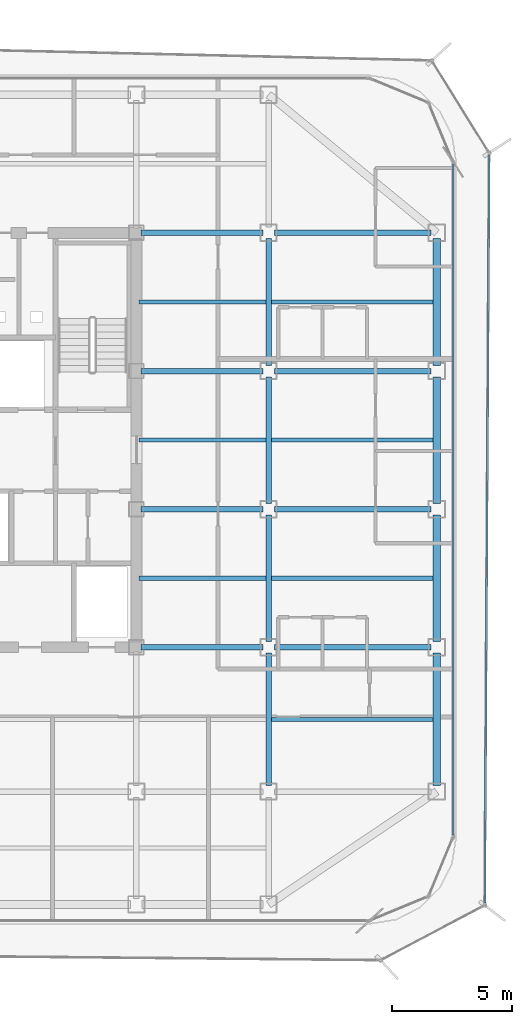
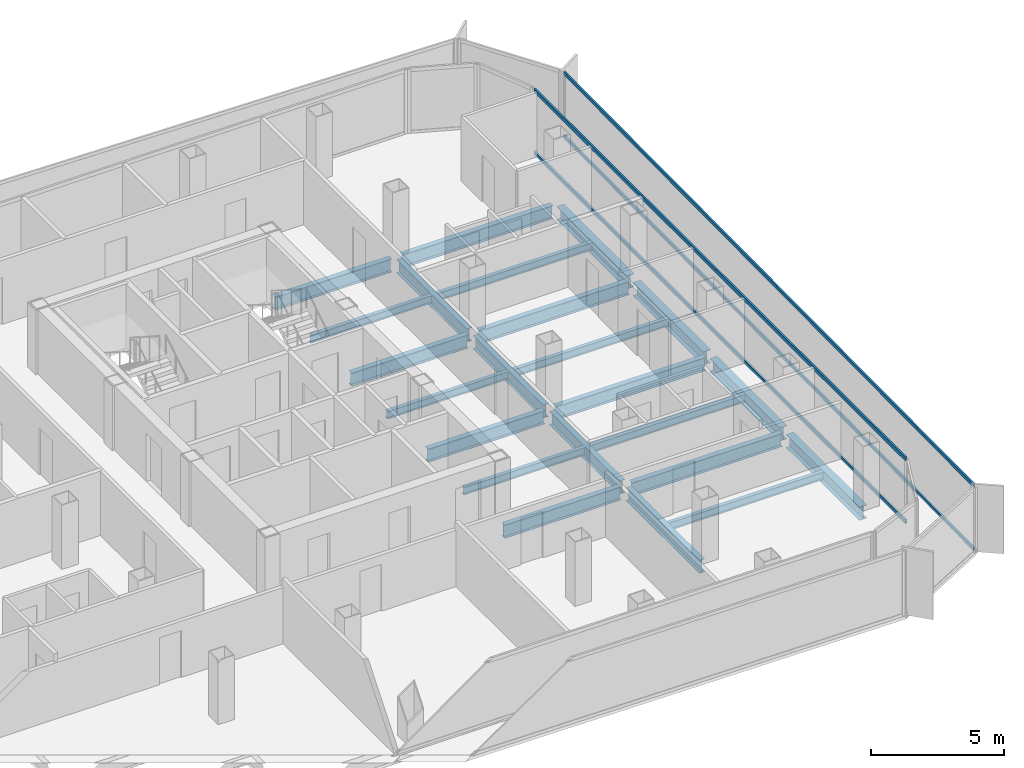
# One storey, part 5 of 15: 23 beams, 4 members, 2 elements without a shape of their own.
"""IFC4 building model written with IfcOpenShell, lengths in metres."""

from ifc_helpers import new_model, si_unit, direction, frame, origin, origin_2d, place, context, subcontext, project, spatial, hollow_rectangle, i_section, extrude, source, transform, mapped, material, layer, layer_set, material_profile, profile_set, type_object, element, aggregate, save


model = new_model("IFC4")

# Units and contexts
model_context = context("Model", 3, precision=1e-05, world=origin(), true_north=direction((0.0, 1.0)))
body_context = subcontext(model_context, "Body", "Model", "MODEL_VIEW")
ifc_project = project(units=[si_unit("LENGTHUNIT", "METRE"), si_unit("AREAUNIT", "SQUARE_METRE"), si_unit("VOLUMEUNIT", "CUBIC_METRE"), si_unit("PLANEANGLEUNIT", "RADIAN"), si_unit("MASSUNIT", "GRAM", prefix="KILO")], contexts=[model_context])

# Site, building, storey
site_placement = place(None, origin())
site = spatial("IfcSite", under=ifc_project, at=site_placement, CompositionType="ELEMENT")
building_placement = place(site_placement, origin())
building = spatial("IfcBuilding", under=site, at=building_placement, Name="Kolveth Station Tower", CompositionType="ELEMENT")
storey_placement = place(building_placement, frame((0.0, 0.0, 196.39990234375)))
storey = spatial("IfcBuildingStorey", under=building, at=storey_placement, Name="L55", CompositionType="ELEMENT", Elevation=196.39990234375)

# Beams
ifc_material_1 = material(Name="Steel S355", Category="steel")
ifc_material_profile_1 = material_profile(ifc_material_1, i_section(OverallWidth=0.323974609375, OverallDepth=0.611083984375, WebThickness=0.0126953125, FlangeThickness=0.01904296875, at=origin_2d()), Name="W610x155")
ifc_profile_set_1 = profile_set([ifc_material_profile_1], Name="Steel S355")
beam_type_1 = type_object("IfcBeamType", Name="Beam_SP2", PredefinedType="SPANDREL", material=ifc_profile_set_1)
shared_shape_1 = source(origin(), body_context, "Body", "SweptSolid", [
    extrude(i_section(OverallWidth=0.323974609375, OverallDepth=0.611083984375, WebThickness=0.0126953125, FlangeThickness=0.01904296875, at=origin_2d()), origin(), (0.0, 0.0, 1.0), 5.52001953125),
])
beam_1_placement = place(storey_placement, frame((41.0, 5.739990234375, -0.555419921875), z_axis=(0.0, 1.0, 0.0), x_axis=(-1.0, 0.0, 0.0)))
element("IfcBeam", 1, at=beam_1_placement, inside=storey, type_object=beam_type_1, Name="L55 Perimeter Spandrel BM-L55-PE-1", PredefinedType="SPANDREL", context=body_context, shape_type="MappedRepresentation", body=[
    mapped(shared_shape_1, transform((0.0, 0.0, 0.0), x_axis=(1.0, 0.0, 0.0), y_axis=(0.0, 1.0, 0.0), z_axis=(0.0, 0.0, 1.0), scale=1.0)),
])
shared_shape_2 = source(origin(), body_context, "Body", "SweptSolid", [
    extrude(i_section(OverallWidth=0.323974609375, OverallDepth=0.611083984375, WebThickness=0.0126953125, FlangeThickness=0.01904296875, at=origin_2d()), origin(), (0.0, 0.0, 1.0), 5.27001953125),
])
for number, where, z_axis, x_axis, name in (
    (2, (41.0, 11.739990234375, -0.555419921875), (0.0, 1.0, 0.0), (-1.0, 0.0, 0.0), "L55 Perimeter Spandrel BM-L55-PE-2"),
    (3, (41.0, 17.489990234375, -0.555419921875), (0.0, 1.0, 0.0), (-1.0, 0.0, 0.0), "L55 Perimeter Spandrel BM-L55-PE-3"),
    (4, (41.0, 23.239990234375, -0.555419921875), (0.0, 1.0, 0.0), (-1.0, 0.0, 0.0), "L55 Perimeter Spandrel BM-L55-PE-4"),
):
    element("IfcBeam", number, at=place(storey_placement, frame(where, z_axis=z_axis, x_axis=x_axis)), inside=storey, type_object=beam_type_1, Name=name, PredefinedType="SPANDREL", context=body_context, shape_type="MappedRepresentation", body=[
        mapped(shared_shape_2, transform((0.0, 0.0, 0.0), x_axis=(1.0, 0.0, 0.0), y_axis=(0.0, 1.0, 0.0), z_axis=(0.0, 0.0, 1.0), scale=1.0)),
    ])
ifc_material_profile_2 = material_profile(ifc_material_1, i_section(OverallWidth=0.22900390625, OverallDepth=0.612060546875, WebThickness=0.011962890625, FlangeThickness=0.01953125, at=origin_2d()), Name="W610x125")
ifc_profile_set_2 = profile_set([ifc_material_profile_2], Name="Steel S355")
beam_type_2 = type_object("IfcBeamType", Name="Beam_B5", PredefinedType="BEAM", material=ifc_profile_set_2)
shared_shape_3 = source(origin(), body_context, "Body", "SweptSolid", [
    extrude(i_section(OverallWidth=0.22900390625, OverallDepth=0.612060546875, WebThickness=0.011962890625, FlangeThickness=0.01953125, at=origin_2d()), origin(), (0.0, 0.0, 1.0), 6.52001953125),
])
for number, where, z_axis, x_axis, name in (
    (5, (34.239990234375, 11.5, -0.555908203125), (1.0, 0.0, 0.0), (0.0, 1.0, 0.0), "L55 Primary Girder BM-L55-GY115-6"),
    (6, (34.239990234375, 17.25, -0.555908203125), (1.0, 0.0, 0.0), (0.0, 1.0, 0.0), "L55 Primary Girder BM-L55-GY172-6"),
    (7, (34.239990234375, 23.0, -0.555908203125), (1.0, 0.0, 0.0), (0.0, 1.0, 0.0), "L55 Primary Girder BM-L55-GY230-6"),
    (8, (34.239990234375, 28.75, -0.555908203125), (1.0, 0.0, 0.0), (0.0, 1.0, 0.0), "L55 Primary Girder BM-L55-GY287-6"),
):
    element("IfcBeam", number, at=place(storey_placement, frame(where, z_axis=z_axis, x_axis=x_axis)), inside=storey, type_object=beam_type_2, Name=name, PredefinedType="BEAM", context=body_context, shape_type="MappedRepresentation", body=[
        mapped(shared_shape_3, transform((0.0, 0.0, 0.0), x_axis=(1.0, 0.0, 0.0), y_axis=(0.0, 1.0, 0.0), z_axis=(0.0, 0.0, 1.0), scale=1.0)),
    ])
shared_shape_4 = source(origin(), body_context, "Body", "SweptSolid", [
    extrude(i_section(OverallWidth=0.22900390625, OverallDepth=0.612060546875, WebThickness=0.011962890625, FlangeThickness=0.01953125, at=origin_2d()), origin(), (0.0, 0.0, 1.0), 5.06005859375),
])
for number, where, z_axis, x_axis, name in (
    (9, (28.699951171875, 11.5, -0.555908203125), (1.0, 0.0, 0.0), (0.0, 1.0, 0.0), "L55 Primary Girder BM-L55-GY115-5"),
    (10, (28.699951171875, 17.25, -0.555908203125), (1.0, 0.0, 0.0), (0.0, 1.0, 0.0), "L55 Primary Girder BM-L55-GY172-5"),
    (11, (28.699951171875, 23.0, -0.555908203125), (1.0, 0.0, 0.0), (0.0, 1.0, 0.0), "L55 Primary Girder BM-L55-GY230-5"),
    (12, (28.699951171875, 28.75, -0.555908203125), (1.0, 0.0, 0.0), (0.0, 1.0, 0.0), "L55 Primary Girder BM-L55-GY287-5"),
):
    element("IfcBeam", number, at=place(storey_placement, frame(where, z_axis=z_axis, x_axis=x_axis)), inside=storey, type_object=beam_type_2, Name=name, PredefinedType="BEAM", context=body_context, shape_type="MappedRepresentation", body=[
        mapped(shared_shape_4, transform((0.0, 0.0, 0.0), x_axis=(1.0, 0.0, 0.0), y_axis=(0.0, 1.0, 0.0), z_axis=(0.0, 0.0, 1.0), scale=1.0)),
    ])
shared_shape_5 = source(origin(), body_context, "Body", "SweptSolid", [
    extrude(i_section(OverallWidth=0.22900390625, OverallDepth=0.612060546875, WebThickness=0.011962890625, FlangeThickness=0.01953125, at=origin_2d()), origin(), (0.0, 0.0, 1.0), 5.52001953125),
])
beam_2_placement = place(storey_placement, frame((34.0, 5.739990234375, -0.555908203125), z_axis=(0.0, 1.0, 0.0), x_axis=(-1.0, 0.0, 0.0)))
element("IfcBeam", 13, at=beam_2_placement, inside=storey, type_object=beam_type_2, Name="L55 Primary Girder BM-L55-GX340-2", PredefinedType="BEAM", context=body_context, shape_type="MappedRepresentation", body=[
    mapped(shared_shape_5, transform((0.0, 0.0, 0.0), x_axis=(1.0, 0.0, 0.0), y_axis=(0.0, 1.0, 0.0), z_axis=(0.0, 0.0, 1.0), scale=1.0)),
])
shared_shape_6 = source(origin(), body_context, "Body", "SweptSolid", [
    extrude(i_section(OverallWidth=0.22900390625, OverallDepth=0.612060546875, WebThickness=0.011962890625, FlangeThickness=0.01953125, at=origin_2d()), origin(), (0.0, 0.0, 1.0), 5.27001953125),
])
for number, where, z_axis, x_axis, name in (
    (14, (34.0, 11.739990234375, -0.555908203125), (0.0, 1.0, 0.0), (-1.0, 0.0, 0.0), "L55 Primary Girder BM-L55-GX340-3"),
    (15, (34.0, 17.489990234375, -0.555908203125), (0.0, 1.0, 0.0), (-1.0, 0.0, 0.0), "L55 Primary Girder BM-L55-GX340-4"),
    (16, (34.0, 23.239990234375, -0.555908203125), (0.0, 1.0, 0.0), (-1.0, 0.0, 0.0), "L55 Primary Girder BM-L55-GX340-5"),
):
    element("IfcBeam", number, at=place(storey_placement, frame(where, z_axis=z_axis, x_axis=x_axis)), inside=storey, type_object=beam_type_2, Name=name, PredefinedType="BEAM", context=body_context, shape_type="MappedRepresentation", body=[
        mapped(shared_shape_6, transform((0.0, 0.0, 0.0), x_axis=(1.0, 0.0, 0.0), y_axis=(0.0, 1.0, 0.0), z_axis=(0.0, 0.0, 1.0), scale=1.0)),
    ])
ifc_material_profile_3 = material_profile(ifc_material_1, i_section(OverallWidth=0.1708984375, OverallDepth=0.35205078125, WebThickness=0.0068359375, FlangeThickness=0.009765625, at=origin_2d()), Name="W360x44")
ifc_profile_set_3 = profile_set([ifc_material_profile_3], Name="Steel S355")
beam_type_3 = type_object("IfcBeamType", Name="Beam_J2", PredefinedType="JOIST", material=ifc_profile_set_3)
shared_shape_7 = source(origin(), body_context, "Body", "SweptSolid", [
    extrude(i_section(OverallWidth=0.1708984375, OverallDepth=0.35205078125, WebThickness=0.0068359375, FlangeThickness=0.009765625, at=origin_2d()), origin(), (0.0, 0.0, 1.0), 5.27490234375),
])
for number, where, z_axis, x_axis, name in (
    (17, (28.612548828125, 14.375, -0.42578125), (1.0, 0.0, 0.0), (0.0, 1.0, 0.0), "L55 Secondary Joist JST-L55-5-3"),
    (18, (28.612548828125, 20.125, -0.42578125), (1.0, 0.0, 0.0), (0.0, 1.0, 0.0), "L55 Secondary Joist JST-L55-5-4"),
    (19, (28.612548828125, 25.875, -0.42578125), (1.0, 0.0, 0.0), (0.0, 1.0, 0.0), "L55 Secondary Joist JST-L55-5-5"),
):
    element("IfcBeam", number, at=place(storey_placement, frame(where, z_axis=z_axis, x_axis=x_axis)), inside=storey, type_object=beam_type_3, Name=name, PredefinedType="JOIST", context=body_context, shape_type="MappedRepresentation", body=[
        mapped(shared_shape_7, transform((0.0, 0.0, 0.0), x_axis=(1.0, 0.0, 0.0), y_axis=(0.0, 1.0, 0.0), z_axis=(0.0, 0.0, 1.0), scale=1.0)),
    ])
shared_shape_8 = source(origin(), body_context, "Body", "SweptSolid", [
    extrude(i_section(OverallWidth=0.1708984375, OverallDepth=0.35205078125, WebThickness=0.0068359375, FlangeThickness=0.009765625, at=origin_2d()), origin(), (0.0, 0.0, 1.0), 6.7275390625),
])
for number, where, z_axis, x_axis, name in (
    (20, (34.112548828125, 8.5, -0.42578125), (1.0, 0.0, 0.0), (0.0, 1.0, 0.0), "L55 Secondary Joist JST-L55-6-2"),
    (21, (34.112548828125, 14.375, -0.42578125), (1.0, 0.0, 0.0), (0.0, 1.0, 0.0), "L55 Secondary Joist JST-L55-6-3"),
    (22, (34.112548828125, 20.125, -0.42578125), (1.0, 0.0, 0.0), (0.0, 1.0, 0.0), "L55 Secondary Joist JST-L55-6-4"),
    (23, (34.112548828125, 25.875, -0.42578125), (1.0, 0.0, 0.0), (0.0, 1.0, 0.0), "L55 Secondary Joist JST-L55-6-5"),
):
    element("IfcBeam", number, at=place(storey_placement, frame(where, z_axis=z_axis, x_axis=x_axis)), inside=storey, type_object=beam_type_3, Name=name, PredefinedType="JOIST", context=body_context, shape_type="MappedRepresentation", body=[
        mapped(shared_shape_8, transform((0.0, 0.0, 0.0), x_axis=(1.0, 0.0, 0.0), y_axis=(0.0, 1.0, 0.0), z_axis=(0.0, 0.0, 1.0), scale=1.0)),
    ])

# Curtain wall, members
ifc_material_2 = material(Name="Aluminium 6063-T6 and low-E dark glass", Category="aluminium")
ifc_layer_1 = layer(ifc_material_2, 0.18994140625)
ifc_layer_set_1 = layer_set([ifc_layer_1], Name="Aluminium 6063-T6 and low-E dark glass")
curtain_wall_type_1 = type_object("IfcCurtainWallType", Name="CurtainWall_CW-Z2", PredefinedType="NOTDEFINED", material=ifc_layer_set_1)
curtain_wall_1_placement = place(storey_placement, origin())
curtain_wall_1 = element("IfcCurtainWall", 24, at=curtain_wall_1_placement, inside=storey, type_object=curtain_wall_type_1, Name="L55 Inner Thermal Curtain Wall 3", PredefinedType="NOTDEFINED")
ifc_material_3 = material(Name="Black anodized aluminium 6063-T6", Category="aluminium")
ifc_material_profile_4 = material_profile(ifc_material_3, hollow_rectangle(XDim=0.080078125, YDim=0.169921875, WallThickness=0.0048828125, at=origin_2d()), Name="ALU-80x170x5")
ifc_profile_set_4 = profile_set([ifc_material_profile_4], Name="Black anodized aluminium 6063-T6")
member_type_1 = type_object("IfcMemberType", Name="Transom_TR2", PredefinedType="USERDEFINED", material=ifc_profile_set_4)
shared_shape_9 = source(origin(), body_context, "Body", "SweptSolid", [
    extrude(hollow_rectangle(XDim=0.080078125, YDim=0.169921875, WallThickness=0.0048828125, at=origin_2d()), origin(), (0.0, 0.0, 1.0), 27.940185546875),
])
member_1_placement = place(storey_placement, frame((41.679931640625, 3.679931640625, 0.0400390625), z_axis=(0.0, 1.0, 0.0), x_axis=(-1.0, 0.0, 0.0)))
member_1 = element("IfcMember", 25, at=member_1_placement, type_object=member_type_1, Name="CW-Z2 transom 1.1", ObjectType="TRANSOM", PredefinedType="USERDEFINED", context=body_context, shape_type="MappedRepresentation", body=[
    mapped(shared_shape_9, transform((0.0, 0.0, 0.0), x_axis=(1.0, 0.0, 0.0), y_axis=(0.0, 1.0, 0.0), z_axis=(0.0, 0.0, 1.0), scale=1.0)),
])
member_2_placement = place(storey_placement, frame((41.679931640625, 3.679931640625, 2.91015625), z_axis=(0.0, 1.0, 0.0), x_axis=(-1.0, 0.0, 0.0)))
member_2 = element("IfcMember", 26, at=member_2_placement, type_object=member_type_1, Name="CW-Z2 transom 1.2", ObjectType="TRANSOM", PredefinedType="USERDEFINED", context=body_context, shape_type="MappedRepresentation", body=[
    mapped(shared_shape_9, transform((0.0, 0.0, 0.0), x_axis=(1.0, 0.0, 0.0), y_axis=(0.0, 1.0, 0.0), z_axis=(0.0, 0.0, 1.0), scale=1.0)),
])
aggregate(curtain_wall_1, [member_1, member_2])

ifc_material_4 = material(Name="Black anodized aluminium 6063-T6 and dark solar glass", Category="aluminium")
ifc_layer_2 = layer(ifc_material_4, 0.159912109375)
ifc_layer_set_2 = layer_set([ifc_layer_2], Name="Black anodized aluminium 6063-T6 and dark solar glass")
curtain_wall_type_2 = type_object("IfcCurtainWallType", Name="OUTER SKIN CW-OS", PredefinedType="NOTDEFINED", material=ifc_layer_set_2)
curtain_wall_2_placement = place(storey_placement, origin())
curtain_wall_2 = element("IfcCurtainWall", 27, at=curtain_wall_2_placement, inside=storey, type_object=curtain_wall_type_2, Name="L55 Outer Ventilated Skin Curtain Wall 2", PredefinedType="NOTDEFINED")
ifc_material_profile_5 = material_profile(ifc_material_3, hollow_rectangle(XDim=0.080078125, YDim=0.14990234375, WallThickness=0.0048828125, at=origin_2d()), Name="ALU-80x150x5")
ifc_profile_set_5 = profile_set([ifc_material_profile_5], Name="Black anodized aluminium 6063-T6")
member_type_2 = type_object("IfcMemberType", Name="Transom_TR-OS", PredefinedType="USERDEFINED", material=ifc_profile_set_5)
shared_shape_10 = source(origin(), body_context, "Body", "SweptSolid", [
    extrude(hollow_rectangle(XDim=0.080078125, YDim=0.14990234375, WallThickness=0.0048828125, at=origin_2d()), origin(), (0.0, 0.0, 1.0), 31.135009765625),
])
member_3_placement = place(storey_placement, frame((42.99951171875, 0.8525390625, 0.0400390625), z_axis=(0.005896687964, 0.999982614384, 0.0), x_axis=(-0.999982614384, 0.005896687964, 0.0)))
member_3 = element("IfcMember", 28, at=member_3_placement, type_object=member_type_2, Name="CW-OS transom 1.1", ObjectType="TRANSOM", PredefinedType="USERDEFINED", context=body_context, shape_type="MappedRepresentation", body=[
    mapped(shared_shape_10, transform((0.0, 0.0, 0.0), x_axis=(1.0, 0.0, 0.0), y_axis=(0.0, 1.0, 0.0), z_axis=(0.0, 0.0, 1.0), scale=1.0)),
])
member_4_placement = place(storey_placement, frame((42.99951171875, 0.8525390625, 2.9501953125), z_axis=(0.005896687964, 0.999982614384, 0.0), x_axis=(-0.999982614384, 0.005896687964, 0.0)))
member_4 = element("IfcMember", 29, at=member_4_placement, type_object=member_type_2, Name="CW-OS transom 1.2", ObjectType="TRANSOM", PredefinedType="USERDEFINED", context=body_context, shape_type="MappedRepresentation", body=[
    mapped(shared_shape_10, transform((0.0, 0.0, 0.0), x_axis=(1.0, 0.0, 0.0), y_axis=(0.0, 1.0, 0.0), z_axis=(0.0, 0.0, 1.0), scale=1.0)),
])
aggregate(curtain_wall_2, [member_3, member_4])

save(model, "model.ifc")
